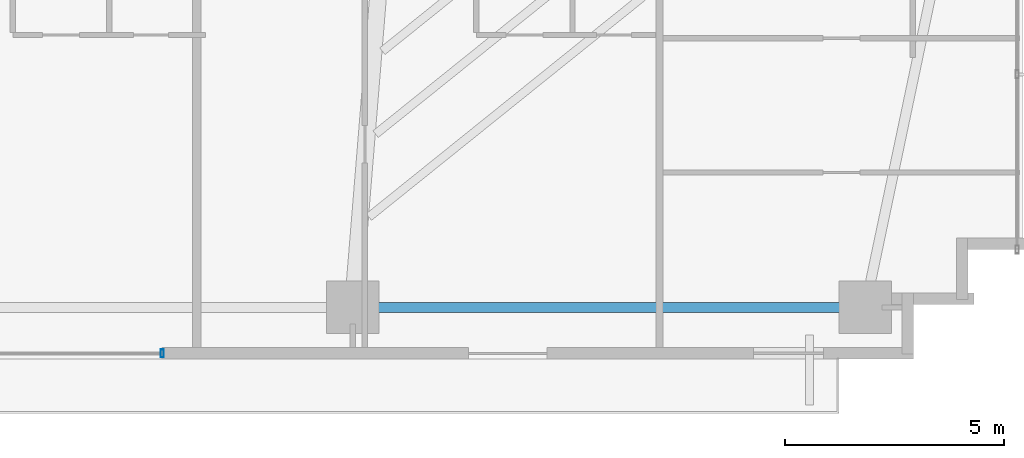
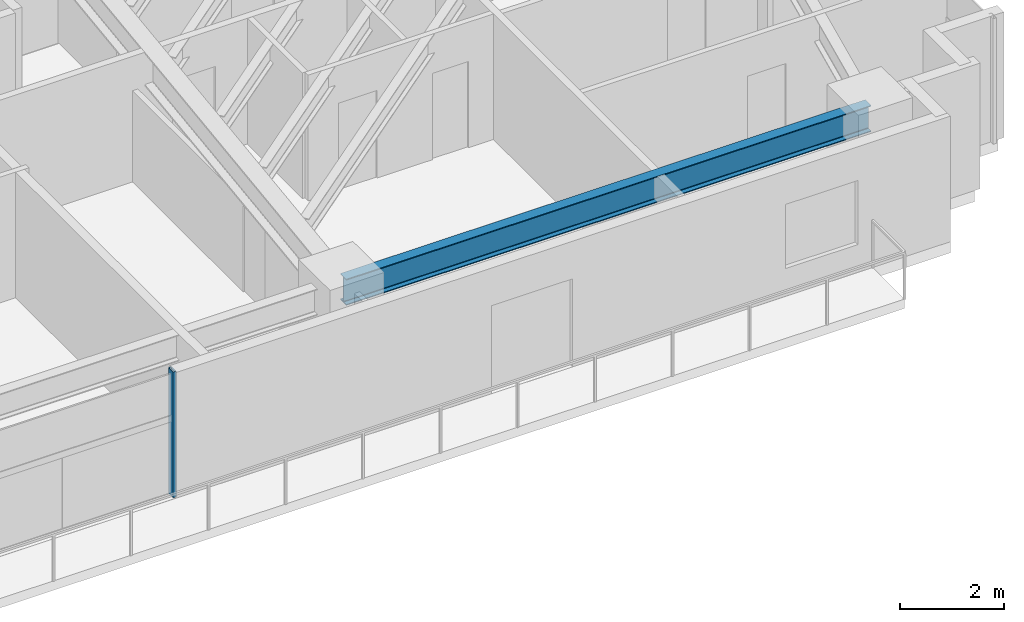
# One storey, part 12 of 25: 1 beam, 1 member, 1 element without a shape of its own.
"""IFC4 building model written with IfcOpenShell, lengths in metres."""

from ifc_helpers import new_model, si_unit, direction, frame, origin, origin_2d, place, context, subcontext, project, spatial, hollow_rectangle, i_section, extrude, source, transform, mapped, material, material_profile, profile_set, type_object, type_shapes, element, aggregate, save


model = new_model("IFC4")

# Units and contexts
model_context = context("Model", 3, precision=1e-05, world=origin(), true_north=direction((0.0, 1.0)))
body_context = subcontext(model_context, "Body", "Model", "MODEL_VIEW")
ifc_project = project(units=[si_unit("LENGTHUNIT", "METRE"), si_unit("AREAUNIT", "SQUARE_METRE"), si_unit("VOLUMEUNIT", "CUBIC_METRE"), si_unit("PLANEANGLEUNIT", "RADIAN"), si_unit("MASSUNIT", "GRAM", prefix="KILO")], contexts=[model_context])

# Site, building, storey
site_placement = place(None, origin())
site = spatial("IfcSite", under=ifc_project, at=site_placement, CompositionType="ELEMENT")
building_placement = place(site_placement, origin())
building = spatial("IfcBuilding", under=site, at=building_placement, Name="Astriad Promenade Condominiums", CompositionType="ELEMENT")
storey_placement = place(building_placement, frame((0.0, 0.0, 55.0)))
storey = spatial("IfcBuildingStorey", under=building, at=storey_placement, Name="L15", CompositionType="ELEMENT", Elevation=55.0)

# Beam
ifc_material_1 = material(Name="Steel ASTM A992 Grade 50", Category="steel")
ifc_material_profile_1 = material_profile(ifc_material_1, i_section(OverallWidth=0.22900390625, OverallDepth=0.612060546875, WebThickness=0.011962890625, FlangeThickness=0.01953125, FilletRadius=0.017822265625, at=origin_2d()), Name="W24X84")
ifc_profile_set_1 = profile_set([ifc_material_profile_1], Name="Steel ASTM A992 Grade 50")
beam_type = type_object("IfcBeamType", Name="STEEL SPANDREL BEAM W24X84", PredefinedType="SPANDREL", material=ifc_profile_set_1)
shared_shape_1 = source(origin(), body_context, "Body", "SweptSolid", [
    extrude(i_section(OverallWidth=0.22900390625, OverallDepth=0.612060546875, WebThickness=0.011962890625, FlangeThickness=0.01953125, FilletRadius=0.017822265625, at=origin_2d()), origin(), (0.0, 0.0, 1.0), 11.619873046875),
])
type_shapes(beam_type, [shared_shape_1])
beam_placement = place(storey_placement, frame((44.5400390625, 3.8798828125, 2.6337890625), z_axis=(1.0, 0.0, 0.0), x_axis=(0.0, 1.0, 0.0)))
element("IfcBeam", 1, at=beam_placement, inside=storey, type_object=beam_type, Name="Perimeter Spandrel Beam SP-S4-L15", PredefinedType="SPANDREL", context=body_context, shape_type="MappedRepresentation", body=[
    mapped(shared_shape_1, transform((0.0, 0.0, 0.0), scale=1.0)),
])

# Curtain wall, member
ifc_material_2 = material(Name="Anodised aluminium Black Dark Glass Unitised", Category="aluminium")
curtain_wall_type = type_object("IfcCurtainWallType", Name="CW-B1-DARK", PredefinedType="USERDEFINED", material=ifc_material_2)
curtain_wall_placement = place(storey_placement, origin())
curtain_wall = element("IfcCurtainWall", 2, at=curtain_wall_placement, inside=storey, type_object=curtain_wall_type, Name="CW-L15-S", ObjectType="UNITISED_CURTAIN_WALL", PredefinedType="USERDEFINED")
ifc_material_3 = material(Name="Anodised aluminium 6063-T6 Black", Category="aluminium")
ifc_material_profile_2 = material_profile(ifc_material_3, hollow_rectangle(XDim=0.074951171875, YDim=0.18505859375, WallThickness=0.00439453125, at=origin_2d()), Name="ALU-MUL-75X185")
ifc_profile_set_2 = profile_set([ifc_material_profile_2], Name="Anodised aluminium 6063-T6 Black")
member_type = type_object("IfcMemberType", Name="MUL-ALU-MUL-75X185", PredefinedType="MULLION", material=ifc_profile_set_2)
shared_shape_2 = source(origin(), body_context, "Body", "SweptSolid", [
    extrude(hollow_rectangle(XDim=0.074951171875, YDim=0.18505859375, WallThickness=0.00439453125, at=origin_2d()), origin(), (0.0, 0.0, 1.0), 2.93994140625),
])
type_shapes(member_type, [shared_shape_2])
member_placement = place(storey_placement, frame((40.14990234375, 2.830078125, 0.0), z_axis=(0.0, 0.0, 1.0), x_axis=(1.0, 0.0, 0.0)))
member = element("IfcMember", 3, at=member_placement, type_object=member_type, Name="CW-L15-S-MUL-00", PredefinedType="MULLION", context=body_context, shape_type="MappedRepresentation", body=[
    mapped(shared_shape_2, transform((0.0, 0.0, 0.0), scale=1.0)),
])
aggregate(curtain_wall, [member])

save(model, "model.ifc")
